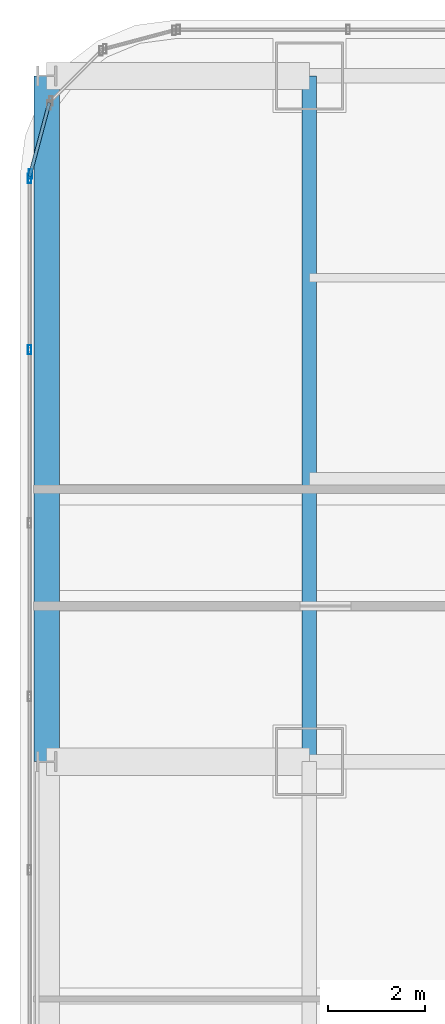
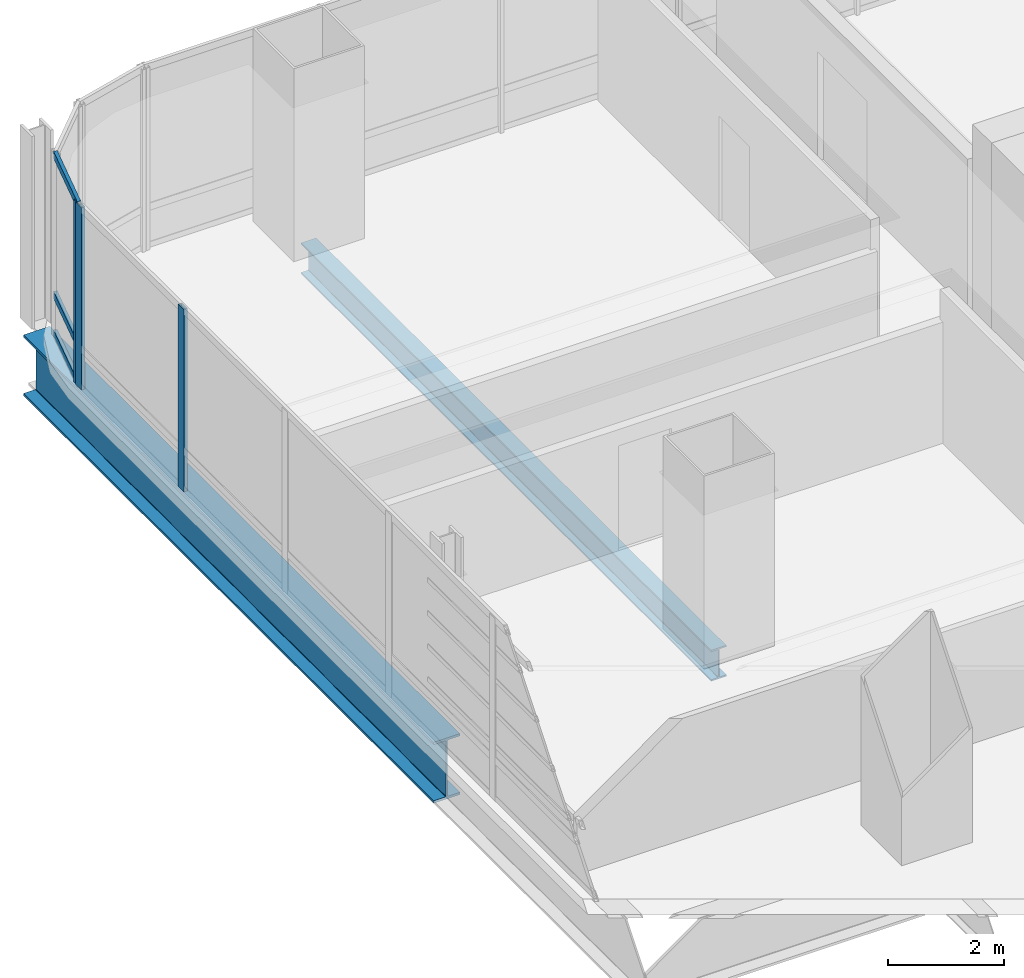
# One storey, part 18 of 36: 6 members, 2 beams, 2 elements without a shape of their own.
"""IFC4 building model written with IfcOpenShell, lengths in metres."""

from ifc_helpers import new_model, si_unit, direction, frame, origin, origin_2d, place, context, subcontext, project, spatial, hollow_rectangle, i_section, extrude, material, material_profile, profile_set, type_object, element, aggregate, save


model = new_model("IFC4")

# Units and contexts
model_context = context("Model", 3, precision=1e-05, world=origin(), true_north=direction((0.0, 1.0)))
body_context = subcontext(model_context, "Body", "Model", "MODEL_VIEW")
ifc_project = project(units=[si_unit("LENGTHUNIT", "METRE"), si_unit("AREAUNIT", "SQUARE_METRE"), si_unit("VOLUMEUNIT", "CUBIC_METRE"), si_unit("PLANEANGLEUNIT", "RADIAN"), si_unit("MASSUNIT", "GRAM", prefix="KILO")], contexts=[model_context])

# Site, building, storey
site_placement = place(None, origin())
site = spatial("IfcSite", under=ifc_project, at=site_placement, CompositionType="ELEMENT")
building_placement = place(site_placement, origin())
building = spatial("IfcBuilding", under=site, at=building_placement, Name="Punatoya Terracotta Tower", CompositionType="ELEMENT")
storey_placement = place(building_placement, frame((0.0, 0.0, 180.300048828125)))
storey = spatial("IfcBuildingStorey", under=building, at=storey_placement, Name="L42", CompositionType="ELEMENT", Elevation=180.300048828125)

# Beams
ifc_material_1 = material(Name="Steel S355", Category="steel")
ifc_material_profile_1 = material_profile(ifc_material_1, i_section(OverallWidth=0.300048828125, OverallDepth=0.64990234375, WebThickness=0.01611328125, FlangeThickness=0.031005859375, FilletRadius=0.01806640625, at=origin_2d()))
ifc_profile_set_1 = profile_set([ifc_material_profile_1], Name="Steel S355")
beam_type_1 = type_object("IfcBeamType", Name="BM-PRI-650", PredefinedType="BEAM", material=ifc_profile_set_1)
beam_1_placement = place(storey_placement, frame((-19.10009765625, 3.39990234375, -0.545166015625), z_axis=(0.0, 1.0, 0.0), x_axis=(-1.0, 0.0, 0.0)))
element("IfcBeam", 1, at=beam_1_placement, inside=storey, type_object=beam_type_1, Name="BM-L42-RG-W3", PredefinedType="BEAM", context=body_context, shape_type="SweptSolid", body=[
    extrude(i_section(OverallWidth=0.300048828125, OverallDepth=0.64990234375, WebThickness=0.01611328125, FlangeThickness=0.031005859375, FilletRadius=0.01806640625, at=origin_2d()), origin(), (0.0, 0.0, 1.0), 14.10009765625),
])
ifc_material_2 = material(Name="Steel S460", Category="steel")
ifc_material_profile_2 = material_profile(ifc_material_2, i_section(OverallWidth=0.52001953125, OverallDepth=1.280029296875, WebThickness=0.031982421875, FlangeThickness=0.050048828125, FilletRadius=0.01806640625, at=origin_2d()))
ifc_profile_set_2 = profile_set([ifc_material_profile_2], Name="Steel S460")
beam_type_2 = type_object("IfcBeamType", Name="BM-TG-NCK", PredefinedType="BEAM", material=ifc_profile_set_2)
beam_2_placement = place(storey_placement, frame((-24.5, 3.39990234375, -0.860107421875), z_axis=(0.0, 1.0, 0.0), x_axis=(-1.0, 0.0, 0.0)))
element("IfcBeam", 2, at=beam_2_placement, inside=storey, type_object=beam_type_2, Name="BM-L42-PER-W3", PredefinedType="BEAM", context=body_context, shape_type="SweptSolid", body=[
    extrude(i_section(OverallWidth=0.52001953125, OverallDepth=1.280029296875, WebThickness=0.031982421875, FlangeThickness=0.050048828125, FilletRadius=0.01806640625, at=origin_2d()), origin(), (0.0, 0.0, 1.0), 14.10009765625),
])

# Curtain wall, member
ifc_material_3 = material(Name="Aluminium 6063-T6 + Double Low-E Glass", Category="aluminium")
curtain_wall_type = type_object("IfcCurtainWallType", Name="CW-M2", PredefinedType="NOTDEFINED", material=ifc_material_3)
curtain_wall_1_placement = place(storey_placement, origin())
curtain_wall_1 = element("IfcCurtainWall", 3, at=curtain_wall_1_placement, inside=storey, type_object=curtain_wall_type, Name="L42 Curtain Wall CW-L42-CRN12", PredefinedType="NOTDEFINED")
ifc_material_4 = material(Name="Aluminium 6063-T6", Category="aluminium")
ifc_material_profile_3 = material_profile(ifc_material_4, hollow_rectangle(XDim=0.072021484375, YDim=0.195068359375, WallThickness=0.00439453125, at=origin_2d()))
ifc_profile_set_3 = profile_set([ifc_material_profile_3], Name="Aluminium 6063-T6")
member_type_1 = type_object("IfcMemberType", Name="CW-MUL-M2", PredefinedType="MULLION", material=ifc_profile_set_3)
member_1_placement = place(storey_placement, frame((-24.83837890625, 15.48046875, 0.0), z_axis=(0.0, 0.0, 1.0), x_axis=(1.0, 0.0, 0.0)))
member_1 = element("IfcMember", 4, at=member_1_placement, type_object=member_type_1, Name="CW-L42-CRN12 Mullion 01", PredefinedType="MULLION", context=body_context, shape_type="SweptSolid", body=[
    extrude(hollow_rectangle(XDim=0.072021484375, YDim=0.195068359375, WallThickness=0.00439453125, at=origin_2d()), origin(), (0.0, 0.0, 1.0), 3.829833984375),
])

# Curtain wall, members
curtain_wall_2_placement = place(storey_placement, origin())
curtain_wall_2 = element("IfcCurtainWall", 5, at=curtain_wall_2_placement, inside=storey, type_object=curtain_wall_type, Name="L42 Curtain Wall CW-L42-W13-1", PredefinedType="NOTDEFINED")
member_2_placement = place(storey_placement, frame((-24.85009765625, 15.391845703125, 0.0), z_axis=(0.0, 0.0, 1.0), x_axis=(1.0, 0.0, 0.0)))
member_2 = element("IfcMember", 6, at=member_2_placement, type_object=member_type_1, Name="CW-L42-W13-1 Mullion 00", PredefinedType="MULLION", context=body_context, shape_type="SweptSolid", body=[
    extrude(hollow_rectangle(XDim=0.072021484375, YDim=0.195068359375, WallThickness=0.00439453125, at=origin_2d()), origin(), (0.0, 0.0, 1.0), 3.829833984375),
])
member_3_placement = place(storey_placement, frame((-24.85009765625, 11.869384765625, 0.0), z_axis=(0.0, 0.0, 1.0), x_axis=(1.0, 0.0, 0.0)))
member_3 = element("IfcMember", 7, at=member_3_placement, type_object=member_type_1, Name="CW-L42-W13-1 Mullion 01", PredefinedType="MULLION", context=body_context, shape_type="SweptSolid", body=[
    extrude(hollow_rectangle(XDim=0.072021484375, YDim=0.195068359375, WallThickness=0.00439453125, at=origin_2d()), origin(), (0.0, 0.0, 1.0), 3.829833984375),
])
aggregate(curtain_wall_2, [member_2, member_3])

# Member
ifc_material_profile_4 = material_profile(ifc_material_4, hollow_rectangle(XDim=0.068115234375, YDim=0.14990234375, WallThickness=0.00390625, at=origin_2d()))
ifc_profile_set_4 = profile_set([ifc_material_profile_4], Name="Aluminium 6063-T6")
member_type_2 = type_object("IfcMemberType", Name="CW-TRN-TYP", PredefinedType="USERDEFINED", material=ifc_profile_set_4)
member_4_placement = place(storey_placement, frame((-24.446533203125, 16.94921875, 0.0400390625), z_axis=(-0.257847112249, -0.966185730957, 0.0), x_axis=(0.966185730957, -0.257847112249, 0.0)))
member_4 = element("IfcMember", 8, at=member_4_placement, type_object=member_type_2, Name="CW-L42-CRN12 Transom 1", ObjectType="TRANSOM", PredefinedType="USERDEFINED", context=body_context, shape_type="SweptSolid", body=[
    extrude(hollow_rectangle(XDim=0.068115234375, YDim=0.14990234375, WallThickness=0.00390625, at=origin_2d()), origin(), (0.0, 0.0, 1.0), 1.565185546875),
])

member_5_placement = place(storey_placement, frame((-24.446533203125, 16.94921875, 0.849853515625), z_axis=(-0.257847112249, -0.966185730957, 0.0), x_axis=(0.966185730957, -0.257847112249, 0.0)))
member_5 = element("IfcMember", 9, at=member_5_placement, type_object=member_type_2, Name="CW-L42-CRN12 Transom 2", ObjectType="TRANSOM", PredefinedType="USERDEFINED", context=body_context, shape_type="SweptSolid", body=[
    extrude(hollow_rectangle(XDim=0.068115234375, YDim=0.14990234375, WallThickness=0.00390625, at=origin_2d()), origin(), (0.0, 0.0, 1.0), 1.565185546875),
])

member_6_placement = place(storey_placement, frame((-24.446533203125, 16.94921875, 3.7900390625), z_axis=(-0.257847112249, -0.966185730957, 0.0), x_axis=(0.966185730957, -0.257847112249, 0.0)))
member_6 = element("IfcMember", 10, at=member_6_placement, type_object=member_type_2, Name="CW-L42-CRN12 Transom 3", ObjectType="TRANSOM", PredefinedType="USERDEFINED", context=body_context, shape_type="SweptSolid", body=[
    extrude(hollow_rectangle(XDim=0.068115234375, YDim=0.14990234375, WallThickness=0.00390625, at=origin_2d()), origin(), (0.0, 0.0, 1.0), 1.565185546875),
])

aggregate(curtain_wall_1, [member_1, member_4, member_5, member_6])

save(model, "model.ifc")
